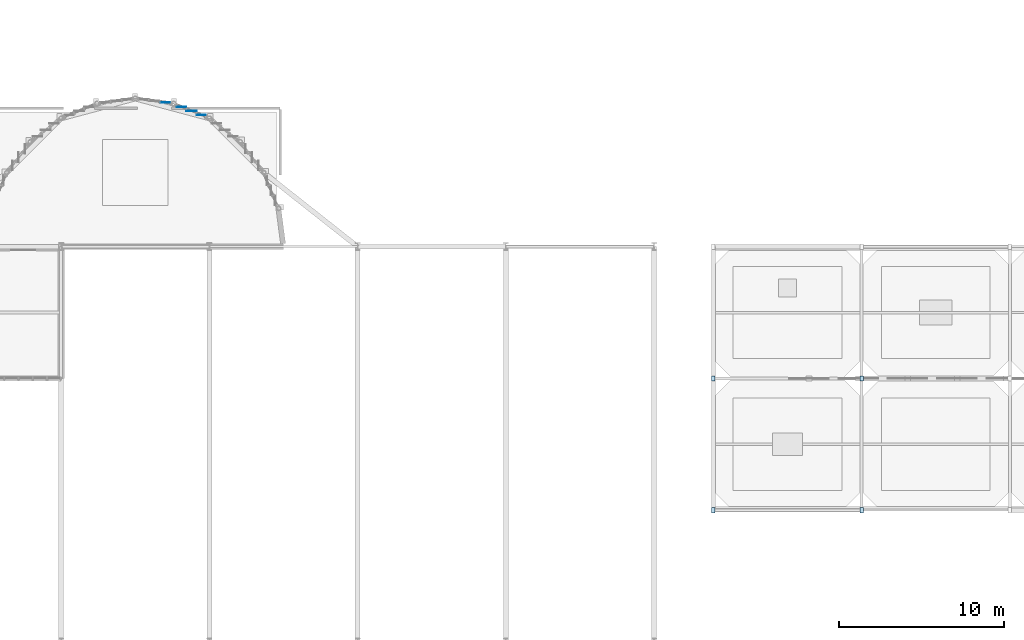
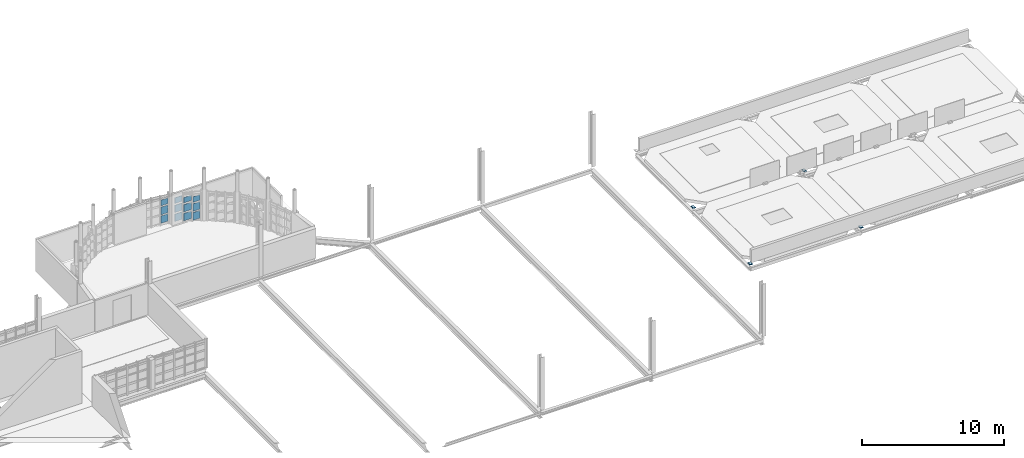
# One storey, part 34 of 44: 16 plates, 2 elements without a shape of their own.
"""IFC4 building model written with IfcOpenShell, lengths in metres."""

from ifc_helpers import new_model, si_unit, direction, frame, origin, origin_2d, place, context, subcontext, project, spatial, rectangle, extrude, material, layer, layer_set, type_object, element, aggregate, save


model = new_model("IFC4")

# Units and contexts
model_context = context("Model", 3, precision=1e-05, world=origin(), true_north=direction((0.0, 1.0)))
body_context = subcontext(model_context, "Body", "Model", "MODEL_VIEW")
ifc_project = project(units=[si_unit("LENGTHUNIT", "METRE"), si_unit("AREAUNIT", "SQUARE_METRE"), si_unit("VOLUMEUNIT", "CUBIC_METRE"), si_unit("PLANEANGLEUNIT", "RADIAN"), si_unit("MASSUNIT", "GRAM", prefix="KILO")], contexts=[model_context])

# Site, building, storey
site_placement = place(None, origin())
site = spatial("IfcSite", under=ifc_project, at=site_placement, CompositionType="ELEMENT")
building_placement = place(site_placement, origin())
building = spatial("IfcBuilding", under=site, at=building_placement, Name="Serraforn Aerial Cableway Station", CompositionType="ELEMENT")
storey_placement = place(building_placement, frame((0.0, 0.0, 13.800048828125)))
storey = spatial("IfcBuildingStorey", under=building, at=storey_placement, Name="L03", CompositionType="ELEMENT", Elevation=13.800048828125)

# Curtain wall, plates
ifc_material_1 = material(Name="Anodised bronze unitised curtain wall")
curtain_wall_type_1 = type_object("IfcCurtainWallType", Name="CW-SYS-26", PredefinedType="USERDEFINED", material=ifc_material_1)
curtain_wall_1_placement = place(storey_placement, origin())
curtain_wall_1 = element("IfcCurtainWall", 1, at=curtain_wall_1_placement, inside=storey, type_object=curtain_wall_type_1, Name="Unitised Curtain Wall CW-AP-L03-R7", ObjectType="UNITISED CURTAIN WALL", PredefinedType="USERDEFINED")
ifc_material_2 = material(Name="Solar-control low-E double glazing", Category="glass")
ifc_layer_1 = layer(ifc_material_2, 0.030029296875)
ifc_layer_set_1 = layer_set([ifc_layer_1], Name="Solar-control low-E double glazing")
plate_type_1 = type_object("IfcPlateType", Name="CW-GLZ-3", PredefinedType="CURTAIN_PANEL", material=ifc_layer_set_1)
plate_1_placement = place(storey_placement, frame((60.925048828125, 50.759765625, 0.18212890625), z_axis=(0.0, 0.0, 1.0), x_axis=(1.0, 0.0, 0.0)))
plate_1 = element("IfcPlate", 2, at=plate_1_placement, type_object=plate_type_1, Name="Curtain Wall Panel CW-AP-L03-R7-P1-1", PredefinedType="CURTAIN_PANEL", context=body_context, shape_type="SweptSolid", body=[
    extrude(rectangle(XDim=0.578857421875, YDim=0.030029296875, at=origin_2d()), origin(), (0.0, 0.0, 1.0), 0.631591796875),
])
ifc_layer_2 = layer(ifc_material_2, 0.031982421875)
ifc_layer_set_2 = layer_set([ifc_layer_2], Name="Solar-control low-E double glazing")
plate_type_2 = type_object("IfcPlateType", Name="CW-GLZ-4", PredefinedType="CURTAIN_PANEL", material=ifc_layer_set_2)
plate_2_placement = place(storey_placement, frame((60.925048828125, 50.759765625, 0.919921875), z_axis=(0.0, 0.0, 1.0), x_axis=(1.0, 0.0, 0.0)))
plate_2 = element("IfcPlate", 3, at=plate_2_placement, type_object=plate_type_2, Name="Curtain Wall Panel CW-AP-L03-R7-P1-2", PredefinedType="CURTAIN_PANEL", context=body_context, shape_type="SweptSolid", body=[
    extrude(rectangle(XDim=0.578857421875, YDim=0.031982421875, at=origin_2d()), origin(), (0.0, 0.0, 1.0), 0.654052734375),
])

# Curtain wall, plate
curtain_wall_type_2 = type_object("IfcCurtainWallType", Name="CW-SYS-27", PredefinedType="USERDEFINED", material=ifc_material_1)
curtain_wall_2_placement = place(storey_placement, origin())
curtain_wall_2 = element("IfcCurtainWall", 4, at=curtain_wall_2_placement, inside=storey, type_object=curtain_wall_type_2, Name="Unitised Curtain Wall CW-AP-L03-R8", ObjectType="UNITISED CURTAIN WALL", PredefinedType="USERDEFINED")
plate_3_placement = place(storey_placement, frame((63.107666015625, 49.998046875, 0.15478515625), z_axis=(0.0, 0.0, 1.0), x_axis=(1.0, 0.0, 0.0)))
plate_3 = element("IfcPlate", 5, at=plate_3_placement, type_object=plate_type_2, Name="Curtain Wall Panel CW-AP-L03-R8-P1-1", PredefinedType="CURTAIN_PANEL", context=body_context, shape_type="SweptSolid", body=[
    extrude(rectangle(XDim=0.567138671875, YDim=0.031982421875, at=origin_2d()), origin(), (0.0, 0.0, 1.0), 0.654052734375),
])

# Plate
ifc_layer_3 = layer(ifc_material_2, 0.033935546875)
ifc_layer_set_3 = layer_set([ifc_layer_3], Name="Solar-control low-E double glazing")
plate_type_3 = type_object("IfcPlateType", Name="CW-GLZ-5", PredefinedType="CURTAIN_PANEL", material=ifc_layer_set_3)
plate_4_placement = place(storey_placement, frame((60.925048828125, 50.759765625, 1.68994140625), z_axis=(0.0, 0.0, 1.0), x_axis=(1.0, 0.0, 0.0)))
plate_4 = element("IfcPlate", 6, at=plate_4_placement, type_object=plate_type_3, Name="Curtain Wall Panel CW-AP-L03-R7-P1-3", PredefinedType="CURTAIN_PANEL", context=body_context, shape_type="SweptSolid", body=[
    extrude(rectangle(XDim=0.578857421875, YDim=0.033935546875, at=origin_2d()), origin(), (0.0, 0.0, 1.0), 0.488525390625),
])

aggregate(curtain_wall_1, [plate_1, plate_2, plate_4])

plate_5_placement = place(storey_placement, frame((63.107666015625, 49.998046875, 0.9248046875), z_axis=(0.0, 0.0, 1.0), x_axis=(1.0, 0.0, 0.0)))
plate_5 = element("IfcPlate", 7, at=plate_5_placement, type_object=plate_type_3, Name="Curtain Wall Panel CW-AP-L03-R8-P1-2", PredefinedType="CURTAIN_PANEL", context=body_context, shape_type="SweptSolid", body=[
    extrude(rectangle(XDim=0.567138671875, YDim=0.033935546875, at=origin_2d()), origin(), (0.0, 0.0, 1.0), 0.6416015625),
])

plate_6_placement = place(storey_placement, frame((62.515869140625, 50.243408203125, 0.159912109375), z_axis=(0.0, 0.0, 1.0), x_axis=(1.0, 0.0, 0.0)))
plate_6 = element("IfcPlate", 8, at=plate_6_placement, type_object=plate_type_3, Name="Curtain Wall Panel CW-AP-L03-R8-P2-1", PredefinedType="CURTAIN_PANEL", context=body_context, shape_type="SweptSolid", body=[
    extrude(rectangle(XDim=0.612060546875, YDim=0.033935546875, at=origin_2d()), origin(), (0.0, 0.0, 1.0), 0.6416015625),
])

ifc_layer_4 = layer(ifc_material_2, 0.035888671875)
ifc_layer_set_4 = layer_set([ifc_layer_4], Name="Solar-control low-E double glazing")
plate_type_4 = type_object("IfcPlateType", Name="CW-GLZ-6", PredefinedType="CURTAIN_PANEL", material=ifc_layer_set_4)
plate_7_placement = place(storey_placement, frame((63.107666015625, 49.998046875, 1.69775390625), z_axis=(0.0, 0.0, 1.0), x_axis=(1.0, 0.0, 0.0)))
plate_7 = element("IfcPlate", 9, at=plate_7_placement, type_object=plate_type_4, Name="Curtain Wall Panel CW-AP-L03-R8-P1-3", PredefinedType="CURTAIN_PANEL", context=body_context, shape_type="SweptSolid", body=[
    extrude(rectangle(XDim=0.567138671875, YDim=0.035888671875, at=origin_2d()), origin(), (0.0, 0.0, 1.0), 0.473388671875),
])

plate_8_placement = place(storey_placement, frame((62.515869140625, 50.243408203125, 0.9326171875), z_axis=(0.0, 0.0, 1.0), x_axis=(1.0, 0.0, 0.0)))
plate_8 = element("IfcPlate", 10, at=plate_8_placement, type_object=plate_type_4, Name="Curtain Wall Panel CW-AP-L03-R8-P2-2", PredefinedType="CURTAIN_PANEL", context=body_context, shape_type="SweptSolid", body=[
    extrude(rectangle(XDim=0.612060546875, YDim=0.035888671875, at=origin_2d()), origin(), (0.0, 0.0, 1.0), 0.62646484375),
])

plate_9_placement = place(storey_placement, frame((61.916015625, 50.49169921875, 0.16748046875), z_axis=(0.0, 0.0, 1.0), x_axis=(1.0, 0.0, 0.0)))
plate_9 = element("IfcPlate", 11, at=plate_9_placement, type_object=plate_type_4, Name="Curtain Wall Panel CW-AP-L03-R8-P3-1", PredefinedType="CURTAIN_PANEL", context=body_context, shape_type="SweptSolid", body=[
    extrude(rectangle(XDim=0.57470703125, YDim=0.035888671875, at=origin_2d()), origin(), (0.0, 0.0, 1.0), 0.62646484375),
])

ifc_layer_5 = layer(ifc_material_2, 0.029052734375)
ifc_layer_set_5 = layer_set([ifc_layer_5], Name="Solar-control low-E double glazing")
plate_type_5 = type_object("IfcPlateType", Name="CW-GLZ-7", PredefinedType="CURTAIN_PANEL", material=ifc_layer_set_5)
plate_10_placement = place(storey_placement, frame((62.515869140625, 50.243408203125, 1.704833984375), z_axis=(0.0, 0.0, 1.0), x_axis=(1.0, 0.0, 0.0)))
plate_10 = element("IfcPlate", 12, at=plate_10_placement, type_object=plate_type_5, Name="Curtain Wall Panel CW-AP-L03-R8-P2-3", PredefinedType="CURTAIN_PANEL", context=body_context, shape_type="SweptSolid", body=[
    extrude(rectangle(XDim=0.612060546875, YDim=0.029052734375, at=origin_2d()), origin(), (0.0, 0.0, 1.0), 0.45849609375),
])

plate_11_placement = place(storey_placement, frame((61.916015625, 50.49169921875, 0.93994140625), z_axis=(0.0, 0.0, 1.0), x_axis=(1.0, 0.0, 0.0)))
plate_11 = element("IfcPlate", 13, at=plate_11_placement, type_object=plate_type_5, Name="Curtain Wall Panel CW-AP-L03-R8-P3-2", PredefinedType="CURTAIN_PANEL", context=body_context, shape_type="SweptSolid", body=[
    extrude(rectangle(XDim=0.57470703125, YDim=0.029052734375, at=origin_2d()), origin(), (0.0, 0.0, 1.0), 0.611572265625),
])

ifc_layer_6 = layer(ifc_material_2, 0.031005859375)
ifc_layer_set_6 = layer_set([ifc_layer_6], Name="Solar-control low-E double glazing")
plate_type_6 = type_object("IfcPlateType", Name="CW-GLZ-8", PredefinedType="CURTAIN_PANEL", material=ifc_layer_set_6)
plate_12_placement = place(storey_placement, frame((61.916015625, 50.49169921875, 1.71240234375), z_axis=(0.0, 0.0, 1.0), x_axis=(1.0, 0.0, 0.0)))
plate_12 = element("IfcPlate", 14, at=plate_12_placement, type_object=plate_type_6, Name="Curtain Wall Panel CW-AP-L03-R8-P3-3", PredefinedType="CURTAIN_PANEL", context=body_context, shape_type="SweptSolid", body=[
    extrude(rectangle(XDim=0.57470703125, YDim=0.031005859375, at=origin_2d()), origin(), (0.0, 0.0, 1.0), 0.478515625),
])

aggregate(curtain_wall_2, [plate_3, plate_5, plate_7, plate_6, plate_8, plate_10, plate_9, plate_11, plate_12])

# Plates
ifc_material_3 = material(Name="Steel S355J2", Category="steel")
ifc_layer_7 = layer(ifc_material_3, 0.02490234375)
ifc_layer_set_7 = layer_set([ifc_layer_7], Name="Steel S355J2")
plate_type_7 = type_object("IfcPlateType", Name="PLT-ECP-RHS300", PredefinedType="USERDEFINED", material=ifc_layer_set_7)
for number, where, z_axis, x_axis, name in (
    (15, (94.199951171875, 26.0, -0.0009765625), (0.0, 0.0, 1.0), (1.0, 0.0, 0.0), "Hollow Column End Cap COL-EL-L02-13-D1"),
    (16, (94.199951171875, 34.0, -0.0009765625), (0.0, 0.0, 1.0), (1.0, 0.0, 0.0), "Hollow Column End Cap COL-EL-L02-13-D2"),
    (17, (103.199951171875, 26.0, -0.0009765625), (0.0, 0.0, 1.0), (1.0, 0.0, 0.0), "Hollow Column End Cap COL-EL-L02-14-D1"),
    (18, (103.199951171875, 34.0, -0.0009765625), (0.0, 0.0, 1.0), (1.0, 0.0, 0.0), "Hollow Column End Cap COL-EL-L02-14-D2"),
):
    element("IfcPlate", number, at=place(storey_placement, frame(where, z_axis=z_axis, x_axis=x_axis)), inside=storey, type_object=plate_type_7, Name=name, ObjectType="END CAP PLATE", PredefinedType="USERDEFINED", context=body_context, shape_type="SweptSolid", body=[
        extrude(rectangle(XDim=0.219970703125, YDim=0.320068359375, at=origin_2d()), origin(), (0.0, 0.0, 1.0), 0.02490234375),
    ])

save(model, "model.ifc")
